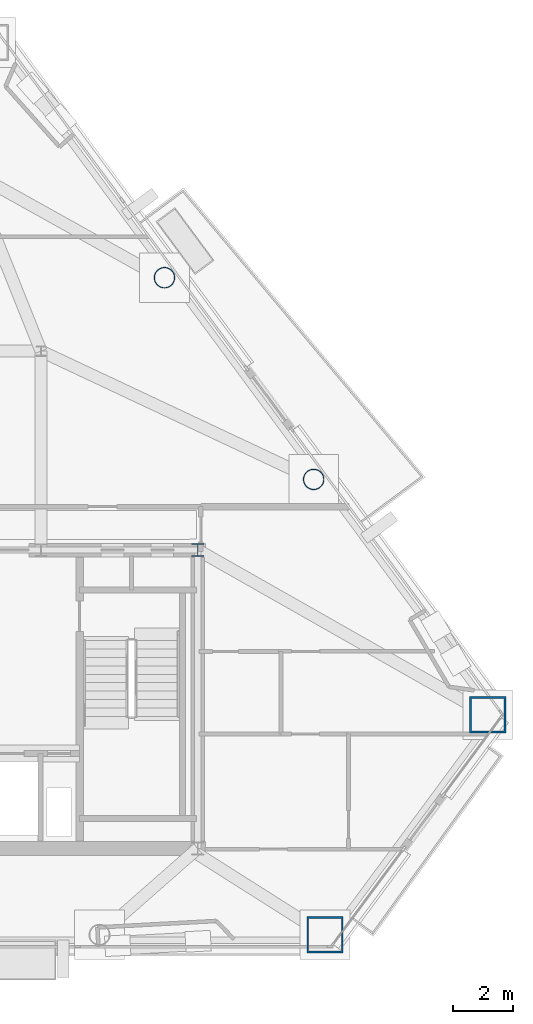
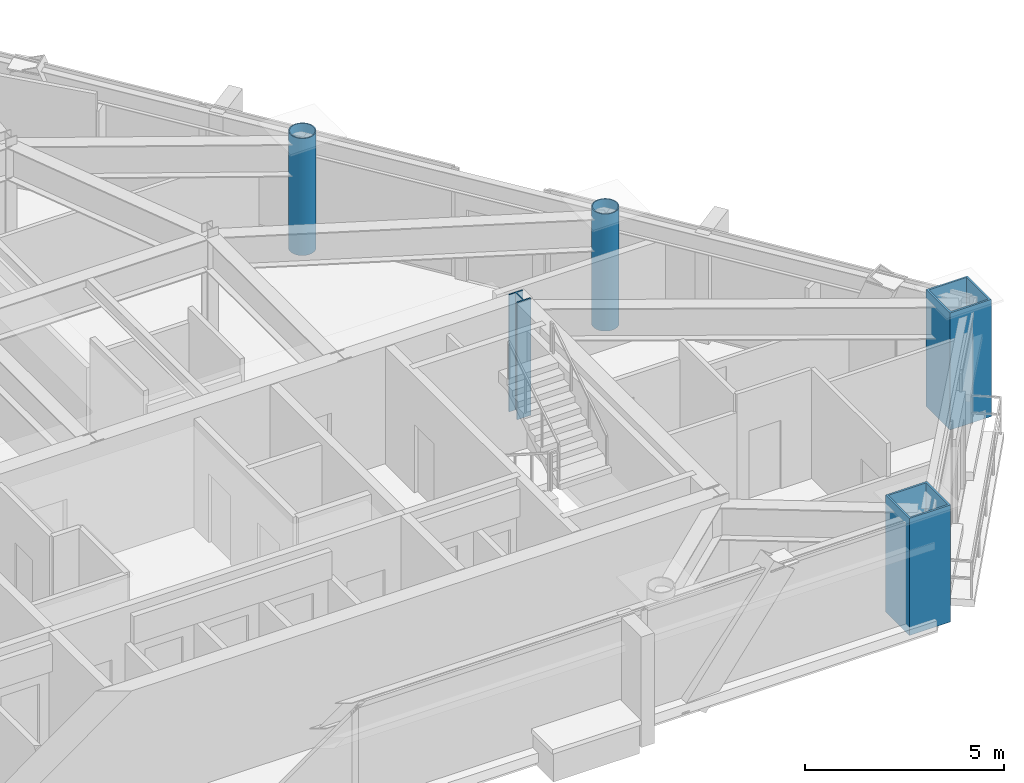
# One storey, part 2 of 11: 5 columns.
"""IFC4 building model written with IfcOpenShell, lengths in metres."""

from ifc_helpers import new_model, si_unit, direction, frame, origin, origin_2d, place, context, subcontext, project, spatial, hollow_rectangle, hollow_circle, i_section, extrude, material, material_profile, profile_set, type_object, element, save


model = new_model("IFC4")

# Units and contexts
model_context = context("Model", 3, precision=1e-05, world=origin(), true_north=direction((0.0, 1.0)))
body_context = subcontext(model_context, "Body", "Model", "MODEL_VIEW")
ifc_project = project(units=[si_unit("LENGTHUNIT", "METRE"), si_unit("AREAUNIT", "SQUARE_METRE"), si_unit("VOLUMEUNIT", "CUBIC_METRE"), si_unit("PLANEANGLEUNIT", "RADIAN"), si_unit("MASSUNIT", "GRAM", prefix="KILO")], contexts=[model_context])

# Site, building, storey
site_placement = place(None, origin())
site = spatial("IfcSite", under=ifc_project, at=site_placement, CompositionType="ELEMENT")
building_placement = place(site_placement, origin())
building = spatial("IfcBuilding", under=site, at=building_placement, Name="Talgorran Terracotta Tower", CompositionType="ELEMENT")
storey_placement = place(building_placement, frame((0.0, 0.0, 125.699951171875)))
storey = spatial("IfcBuildingStorey", under=building, at=storey_placement, Name="L32", CompositionType="ELEMENT", Elevation=125.699951171875)

# Columns
ifc_material_1 = material(Name="Steel S355 (300PLUS)", Category="steel")
ifc_material_profile_1 = material_profile(ifc_material_1, i_section(OverallWidth=0.39990234375, OverallDepth=0.43994140625, WebThickness=0.028076171875, FlangeThickness=0.0400390625, at=origin_2d()), Name="400WC328")
ifc_profile_set_1 = profile_set([ifc_material_profile_1], Name="Steel S355 (300PLUS)")
column_type_1 = type_object("IfcColumnType", Name="COL_400WC328", PredefinedType="COLUMN", material=ifc_profile_set_1)
column_placement = place(storey_placement, frame((12.39990234375, -4.199951171875, 0.0), z_axis=(0.0, 0.0, 1.0), x_axis=(1.0, 0.0, 0.0)))
element("IfcColumn", 1, at=column_placement, inside=storey, type_object=column_type_1, Name="L32 Core Boundary Column CC3", PredefinedType="COLUMN", context=body_context, shape_type="SweptSolid", body=[
    extrude(i_section(OverallWidth=0.39990234375, OverallDepth=0.43994140625, WebThickness=0.028076171875, FlangeThickness=0.0400390625, at=origin_2d()), origin(), (0.0, 0.0, 1.0), 3.60009765625),
])
ifc_material_2 = material(Name="Steel Grade 350 (350L0)", Category="steel")
ifc_material_profile_2 = material_profile(ifc_material_2, hollow_rectangle(XDim=1.199951171875, YDim=1.199951171875, WallThickness=0.054931640625, at=origin_2d()), Name="CFT1200X1200X55")
ifc_profile_set_2 = profile_set([ifc_material_profile_2], Name="Steel Grade 350 (350L0)")
column_type_2 = type_object("IfcColumnType", Name="COL_CFT_1200", PredefinedType="COLUMN", material=ifc_profile_set_2)
for number, where, z_axis, x_axis, name in (
    (2, (16.618408203125, -16.96337890625, 0.0), (0.0, 0.0, 1.0), (1.0, 0.0, 0.0), "L32 Corner CFT Mega-Column MC3"),
    (3, (22.0185546875, -9.661865234375, 0.0), (0.0, 0.0, 1.0), (1.0, 0.0, 0.0), "L32 Corner CFT Mega-Column MC4"),
):
    element("IfcColumn", number, at=place(storey_placement, frame(where, z_axis=z_axis, x_axis=x_axis)), inside=storey, type_object=column_type_2, Name=name, PredefinedType="COLUMN", context=body_context, shape_type="SweptSolid", body=[
        extrude(hollow_rectangle(XDim=1.199951171875, YDim=1.199951171875, WallThickness=0.054931640625, at=origin_2d()), origin(), (0.0, 0.0, 1.0), 3.60009765625),
    ])
ifc_material_profile_3 = material_profile(ifc_material_2, hollow_circle(Radius=0.35009765625, WallThickness=0.030029296875, at=origin_2d()), Name="CHS700X30")
ifc_profile_set_3 = profile_set([ifc_material_profile_3], Name="Steel Grade 350 (350L0)")
column_type_3 = type_object("IfcColumnType", Name="COL_CHS_700", PredefinedType="COLUMN", material=ifc_profile_set_3)
for number, where, z_axis, x_axis, name in (
    (4, (16.244873046875, -1.855712890625, 0.0), (0.0, 0.0, 1.0), (1.0, 0.0, 0.0), "L32 Facet Perimeter Column FC3"),
    (5, (11.296142578125, 4.835693359375, 0.0), (0.0, 0.0, 1.0), (1.0, 0.0, 0.0), "L32 Facet Perimeter Column FC4"),
):
    element("IfcColumn", number, at=place(storey_placement, frame(where, z_axis=z_axis, x_axis=x_axis)), inside=storey, type_object=column_type_3, Name=name, PredefinedType="COLUMN", context=body_context, shape_type="SweptSolid", body=[
        extrude(hollow_circle(Radius=0.35009765625, WallThickness=0.030029296875, at=origin_2d()), origin(), (0.0, 0.0, 1.0), 3.60009765625),
    ])

save(model, "model.ifc")
